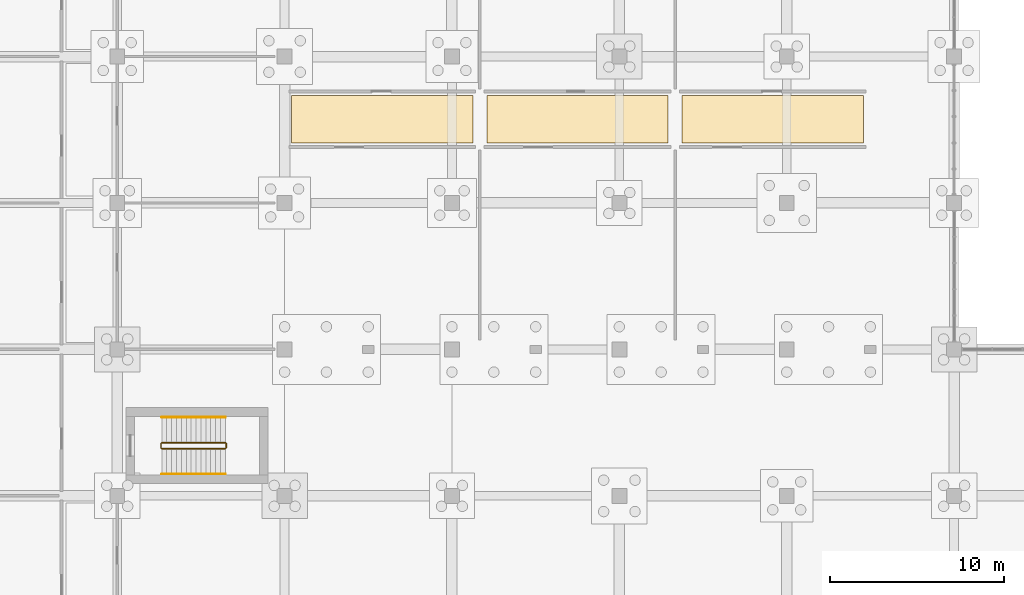
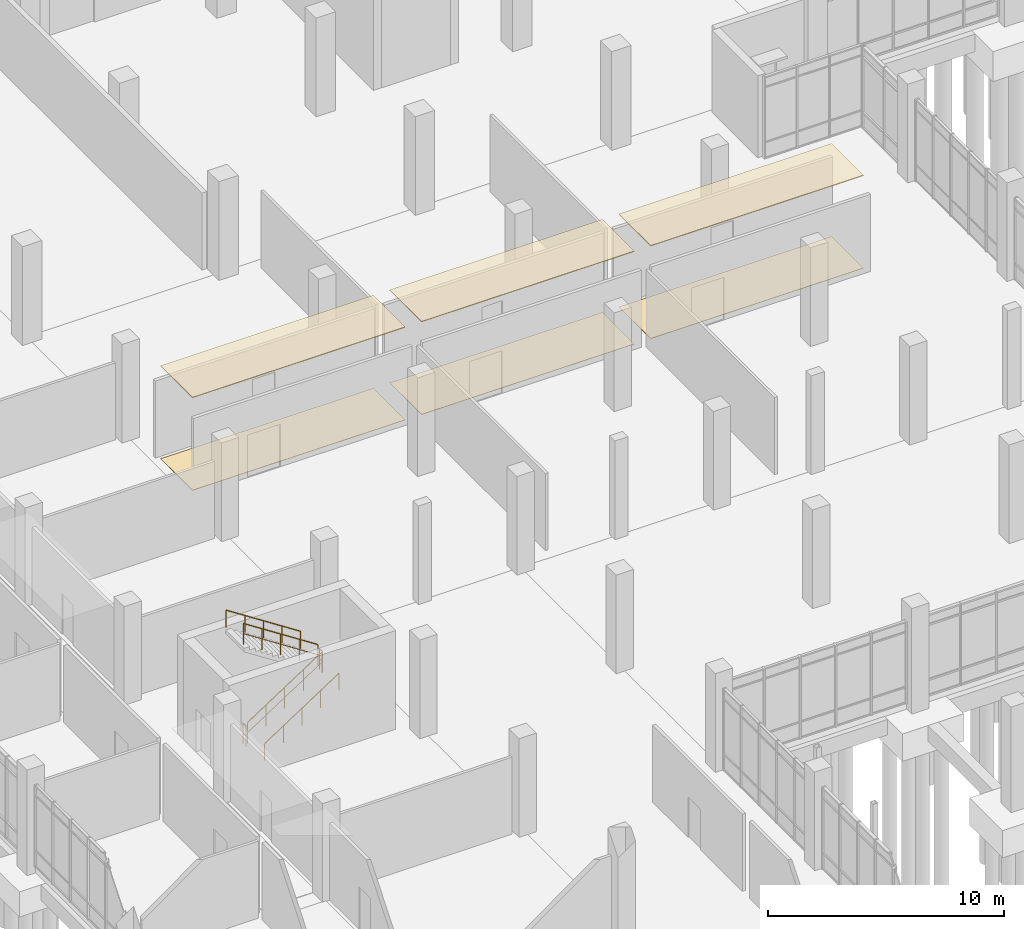
# One storey, part 131 of 136: 6 coverings, 6 railings.
"""IFC4 building model written with IfcOpenShell, lengths in metres."""

from ifc_helpers import new_model, si_unit, direction, frame, origin, origin_2d, place, context, subcontext, project, spatial, polyline, circle, outline, extrude, material, layer, layer_set, type_object, element, save


model = new_model("IFC4")

# Units and contexts
model_context = context("Model", 3, precision=1e-05, world=origin(), true_north=direction((0.0, 1.0)))
body_context = subcontext(model_context, "Body", "Model", "MODEL_VIEW")
ifc_project = project(units=[si_unit("LENGTHUNIT", "METRE"), si_unit("AREAUNIT", "SQUARE_METRE"), si_unit("VOLUMEUNIT", "CUBIC_METRE"), si_unit("PLANEANGLEUNIT", "RADIAN"), si_unit("MASSUNIT", "GRAM", prefix="KILO")], contexts=[model_context])

# Site, building, storey
site_placement = place(None, origin())
site = spatial("IfcSite", under=ifc_project, at=site_placement, CompositionType="ELEMENT")
building_placement = place(site_placement, origin())
building = spatial("IfcBuilding", under=site, at=building_placement, Name="Oolite Switchyard Hospital", CompositionType="ELEMENT")
storey_placement = place(building_placement, origin())
storey = spatial("IfcBuildingStorey", under=building, at=storey_placement, Name="L00", CompositionType="ELEMENT", Elevation=0.0)

# Coverings
ifc_material_1 = material(Name="Hygienic washable mineral-fibre acoustic ceiling")
ifc_layer_1 = layer(ifc_material_1, 0.0400390625)
ifc_layer_set_1 = layer_set([ifc_layer_1], Name="COV-CEIL-AC60")
covering_type_1 = type_object("IfcCoveringType", Name="COV-CEIL-AC60", PredefinedType="CEILING", material=ifc_layer_set_1)
covering_1_placement = place(storey_placement, frame((0.0, 0.0, 4.784912109375)))
element("IfcCovering", 1, at=covering_1_placement, inside=storey, type_object=covering_type_1, Name="L00 Supply Chain and Pharmacy Logistics Corridor L00 Ceiling 1", PredefinedType="CEILING", context=body_context, shape_type="SweptSolid", body=[
    extrude(outline(polyline([(134.800048828125, 87.449951171875), (145.199951171875, 87.449951171875), (145.199951171875, 90.14990234375), (134.800048828125, 90.14990234375), (134.800048828125, 87.449951171875)])), origin(), (0.0, 0.0, 1.0), 0.0400390625),
])
covering_2_placement = place(storey_placement, frame((0.0, 0.0, 4.784912109375)))
element("IfcCovering", 2, at=covering_2_placement, inside=storey, type_object=covering_type_1, Name="L00 Supply Chain and Pharmacy Logistics Corridor L00 Ceiling 2", PredefinedType="CEILING", context=body_context, shape_type="SweptSolid", body=[
    extrude(outline(polyline([(146.0, 87.449951171875), (156.39990234375, 87.449951171875), (156.39990234375, 90.14990234375), (146.0, 90.14990234375), (146.0, 87.449951171875)])), origin(), (0.0, 0.0, 1.0), 0.0400390625),
])
covering_3_placement = place(storey_placement, frame((0.0, 0.0, 4.784912109375)))
element("IfcCovering", 3, at=covering_3_placement, inside=storey, type_object=covering_type_1, Name="L00 Supply Chain and Pharmacy Logistics Corridor L00 Ceiling 3", PredefinedType="CEILING", context=body_context, shape_type="SweptSolid", body=[
    extrude(outline(polyline([(157.199951171875, 87.449951171875), (167.60009765625, 87.449951171875), (167.60009765625, 90.14990234375), (157.199951171875, 90.14990234375), (157.199951171875, 87.449951171875)])), origin(), (0.0, 0.0, 1.0), 0.0400390625),
])
ifc_material_2 = material(Name="Epoxy terrazzo seamless clinical flooring")
ifc_layer_2 = layer(ifc_material_2, 0.02001953125)
ifc_layer_set_2 = layer_set([ifc_layer_2], Name="COV-FLR-TER20")
covering_type_2 = type_object("IfcCoveringType", Name="COV-FLR-TER20", PredefinedType="FLOORING", material=ifc_layer_set_2)
covering_4_placement = place(storey_placement, origin())
element("IfcCovering", 4, at=covering_4_placement, inside=storey, type_object=covering_type_2, Name="L00 Supply Chain and Pharmacy Logistics Corridor L00 Flooring 1", PredefinedType="FLOORING", context=body_context, shape_type="SweptSolid", body=[
    extrude(outline(polyline([(134.800048828125, 87.449951171875), (145.199951171875, 87.449951171875), (145.199951171875, 90.14990234375), (134.800048828125, 90.14990234375), (134.800048828125, 87.449951171875)])), origin(), (0.0, 0.0, 1.0), 0.02001953125),
])
covering_5_placement = place(storey_placement, origin())
element("IfcCovering", 5, at=covering_5_placement, inside=storey, type_object=covering_type_2, Name="L00 Supply Chain and Pharmacy Logistics Corridor L00 Flooring 2", PredefinedType="FLOORING", context=body_context, shape_type="SweptSolid", body=[
    extrude(outline(polyline([(146.0, 87.449951171875), (156.39990234375, 87.449951171875), (156.39990234375, 90.14990234375), (146.0, 90.14990234375), (146.0, 87.449951171875)])), origin(), (0.0, 0.0, 1.0), 0.02001953125),
])
covering_6_placement = place(storey_placement, origin())
element("IfcCovering", 6, at=covering_6_placement, inside=storey, type_object=covering_type_2, Name="L00 Supply Chain and Pharmacy Logistics Corridor L00 Flooring 3", PredefinedType="FLOORING", context=body_context, shape_type="SweptSolid", body=[
    extrude(outline(polyline([(157.199951171875, 87.449951171875), (167.60009765625, 87.449951171875), (167.60009765625, 90.14990234375), (157.199951171875, 90.14990234375), (157.199951171875, 87.449951171875)])), origin(), (0.0, 0.0, 1.0), 0.02001953125),
])

# Railings
ifc_material_3 = material(Name="Galvanized painted architectural steel handrail", Category="steel")
railing_type_1 = type_object("IfcRailingType", Name="RL-STAIR-GRD", PredefinedType="GUARDRAIL", material=ifc_material_3)
railing_1_placement = place(storey_placement, frame((127.360107421875, 69.909912109375, 0.18212890625)))
element("IfcRailing", 7, at=railing_1_placement, inside=storey, type_object=railing_type_1, Name="L00 ST-10 stair guard 1", PredefinedType="GUARDRAIL", context=body_context, shape_type="SweptSolid", body=[
    extrude(circle(Radius=0.02392578125, at=origin_2d()), frame((0.0, 0.0, 1.076171875), z_axis=(0.838234174257, 0.0, 0.545310433706), x_axis=(0.0, 1.0, 0.0)), (0.0, 0.0, 1.0), 4.34228515625),
    extrude(circle(Radius=0.015625, at=origin_2d()), frame((0.0, 0.0, 0.550048828125), z_axis=(0.838234174257, 0.0, 0.545310433706), x_axis=(0.0, 1.0, 0.0)), (0.0, 0.0, 1.0), 4.34228515625),
    extrude(circle(Radius=0.02099609375, at=origin_2d()), origin(), (0.0, 0.0, 1.0), 1.052001953125),
    extrude(circle(Radius=0.02099609375, at=origin_2d()), frame((0.909912109375, 0.0, 0.592041015625)), (0.0, 0.0, 1.0), 1.052001953125),
    extrude(circle(Radius=0.02099609375, at=origin_2d()), frame((1.81982421875, 0.0, 1.18408203125)), (0.0, 0.0, 1.0), 1.052001953125),
    extrude(circle(Radius=0.02099609375, at=origin_2d()), frame((2.72998046875, 0.0, 1.77587890625)), (0.0, 0.0, 1.0), 1.052001953125),
    extrude(circle(Radius=0.02099609375, at=origin_2d()), frame((3.639892578125, 0.0, 2.367919921875)), (0.0, 0.0, 1.0), 1.052001953125),
])
railing_2_placement = place(storey_placement, frame((131.050048828125, 69.9599609375, 2.550048828125)))
element("IfcRailing", 8, at=railing_2_placement, inside=storey, type_object=railing_type_1, Name="L00 ST-10 stair guard 2", PredefinedType="GUARDRAIL", context=body_context, shape_type="SweptSolid", body=[
    extrude(circle(Radius=0.02392578125, at=origin_2d()), frame((0.0, 0.0, 1.076171875), z_axis=(0.0, 1.0, 0.0), x_axis=(-1.0, 0.0, 0.0)), (0.0, 0.0, 1.0), 0.239990234375),
    extrude(circle(Radius=0.015625, at=origin_2d()), frame((0.0, 0.0, 0.550048828125), z_axis=(0.0, 1.0, 0.0), x_axis=(-1.0, 0.0, 0.0)), (0.0, 0.0, 1.0), 0.239990234375),
    extrude(circle(Radius=0.02099609375, at=origin_2d()), origin(), (0.0, 0.0, 1.0), 1.052001953125),
    extrude(circle(Radius=0.02099609375, at=origin_2d()), frame((0.0, 0.239990234375, 0.0)), (0.0, 0.0, 1.0), 1.052001953125),
])
railing_3_placement = place(storey_placement, frame((131.0, 70.25, 2.732177734375)))
element("IfcRailing", 9, at=railing_3_placement, inside=storey, type_object=railing_type_1, Name="L00 ST-10 stair guard 3", PredefinedType="GUARDRAIL", context=body_context, shape_type="SweptSolid", body=[
    extrude(circle(Radius=0.02392578125, at=origin_2d()), frame((0.0, 0.0, 1.076171875), z_axis=(-0.838234174257, 0.0, 0.545310433706), x_axis=(0.0, -1.0, 0.0)), (0.0, 0.0, 1.0), 4.34228515625),
    extrude(circle(Radius=0.015625, at=origin_2d()), frame((0.0, 0.0, 0.550048828125), z_axis=(-0.838234174257, 0.0, 0.545310433706), x_axis=(0.0, -1.0, 0.0)), (0.0, 0.0, 1.0), 4.34228515625),
    extrude(circle(Radius=0.02099609375, at=origin_2d()), origin(), (0.0, 0.0, 1.0), 1.052001953125),
    extrude(circle(Radius=0.02099609375, at=origin_2d()), frame((-0.909912109375, 0.0, 0.592041015625)), (0.0, 0.0, 1.0), 1.052001953125),
    extrude(circle(Radius=0.02099609375, at=origin_2d()), frame((-1.81982421875, 0.0, 1.18408203125)), (0.0, 0.0, 1.0), 1.052001953125),
    extrude(circle(Radius=0.02099609375, at=origin_2d()), frame((-2.72998046875, 0.0, 1.77587890625)), (0.0, 0.0, 1.0), 1.052001953125),
    extrude(circle(Radius=0.02099609375, at=origin_2d()), frame((-3.639892578125, 0.0, 2.367919921875)), (0.0, 0.0, 1.0), 1.052001953125),
])
railing_4_placement = place(storey_placement, frame((127.31005859375, 69.9599609375, 0.0)))
element("IfcRailing", 10, at=railing_4_placement, inside=storey, type_object=railing_type_1, Name="L00 ST-10 stair guard 4", PredefinedType="GUARDRAIL", context=body_context, shape_type="SweptSolid", body=[
    extrude(circle(Radius=0.02392578125, at=origin_2d()), frame((0.0, 0.0, 1.076171875), z_axis=(0.0, 1.0, 0.0), x_axis=(-1.0, 0.0, 0.0)), (0.0, 0.0, 1.0), 0.239990234375),
    extrude(circle(Radius=0.015625, at=origin_2d()), frame((0.0, 0.0, 0.550048828125), z_axis=(0.0, 1.0, 0.0), x_axis=(-1.0, 0.0, 0.0)), (0.0, 0.0, 1.0), 0.239990234375),
    extrude(circle(Radius=0.02099609375, at=origin_2d()), origin(), (0.0, 0.0, 1.0), 1.052001953125),
    extrude(circle(Radius=0.02099609375, at=origin_2d()), frame((0.0, 0.239990234375, 0.0)), (0.0, 0.0, 1.0), 1.052001953125),
])
railing_type_2 = type_object("IfcRailingType", Name="RL-STAIR-HND", PredefinedType="HANDRAIL", material=ifc_material_3)
railing_5_placement = place(storey_placement, frame((127.360107421875, 68.449951171875, 0.18212890625)))
element("IfcRailing", 11, at=railing_5_placement, inside=storey, type_object=railing_type_2, Name="L00 ST-10 stair handrail 1", PredefinedType="HANDRAIL", context=body_context, shape_type="SweptSolid", body=[
    extrude(circle(Radius=0.02392578125, at=origin_2d()), frame((0.0, 0.0, 0.8759765625), z_axis=(0.838234174257, 0.0, 0.545310433706), x_axis=(0.0, 1.0, 0.0)), (0.0, 0.0, 1.0), 4.34228515625),
    extrude(circle(Radius=0.02099609375, at=origin_2d()), origin(), (0.0, 0.0, 1.0), 0.851806640625),
    extrude(circle(Radius=0.02099609375, at=origin_2d()), frame((0.909912109375, 0.0, 0.592041015625)), (0.0, 0.0, 1.0), 0.851806640625),
    extrude(circle(Radius=0.02099609375, at=origin_2d()), frame((1.81982421875, 0.0, 1.18408203125)), (0.0, 0.0, 1.0), 0.851806640625),
    extrude(circle(Radius=0.02099609375, at=origin_2d()), frame((2.72998046875, 0.0, 1.77587890625)), (0.0, 0.0, 1.0), 0.851806640625),
    extrude(circle(Radius=0.02099609375, at=origin_2d()), frame((3.639892578125, 0.0, 2.367919921875)), (0.0, 0.0, 1.0), 0.851806640625),
])
railing_6_placement = place(storey_placement, frame((131.0, 71.7099609375, 2.732177734375)))
element("IfcRailing", 12, at=railing_6_placement, inside=storey, type_object=railing_type_2, Name="L00 ST-10 stair handrail 2", PredefinedType="HANDRAIL", context=body_context, shape_type="SweptSolid", body=[
    extrude(circle(Radius=0.02392578125, at=origin_2d()), frame((0.0, 0.0, 0.8759765625), z_axis=(-0.838234174257, 0.0, 0.545310433706), x_axis=(0.0, -1.0, 0.0)), (0.0, 0.0, 1.0), 4.34228515625),
    extrude(circle(Radius=0.02099609375, at=origin_2d()), origin(), (0.0, 0.0, 1.0), 0.851806640625),
    extrude(circle(Radius=0.02099609375, at=origin_2d()), frame((-0.909912109375, 0.0, 0.592041015625)), (0.0, 0.0, 1.0), 0.851806640625),
    extrude(circle(Radius=0.02099609375, at=origin_2d()), frame((-1.81982421875, 0.0, 1.18408203125)), (0.0, 0.0, 1.0), 0.851806640625),
    extrude(circle(Radius=0.02099609375, at=origin_2d()), frame((-2.72998046875, 0.0, 1.77587890625)), (0.0, 0.0, 1.0), 0.851806640625),
    extrude(circle(Radius=0.02099609375, at=origin_2d()), frame((-3.639892578125, 0.0, 2.367919921875)), (0.0, 0.0, 1.0), 0.851806640625),
])

save(model, "model.ifc")
